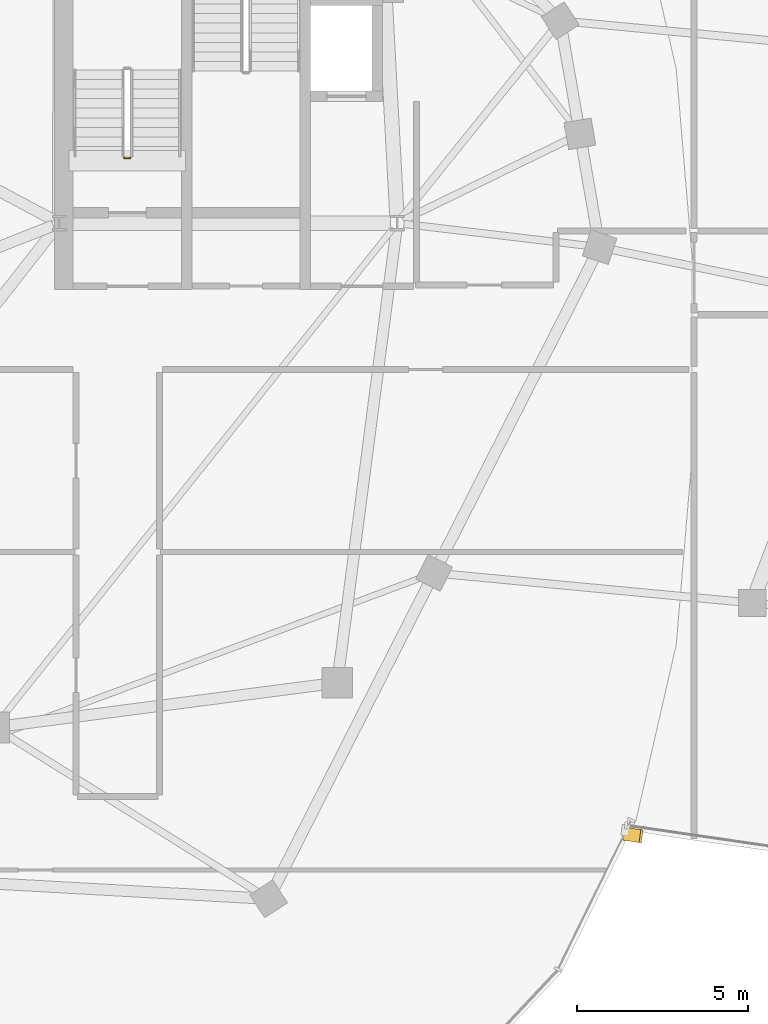
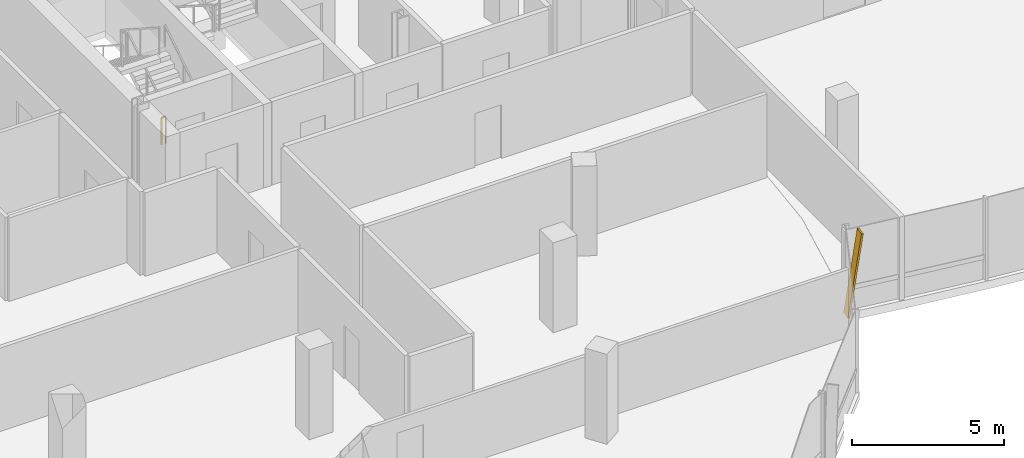
# One storey, part 22 of 26: 1 railing, 1 shading device.
"""IFC4 building model written with IfcOpenShell, lengths in metres."""

from ifc_helpers import new_model, si_unit, direction, frame, origin, origin_2d, place, context, subcontext, project, spatial, rectangle, extrude, material, material_profile, profile_set, type_object, element, save


model = new_model("IFC4")

# Units and contexts
model_context = context("Model", 3, precision=1e-05, world=origin(), true_north=direction((0.0, 1.0)))
body_context = subcontext(model_context, "Body", "Model", "MODEL_VIEW")
ifc_project = project(units=[si_unit("LENGTHUNIT", "METRE"), si_unit("AREAUNIT", "SQUARE_METRE"), si_unit("VOLUMEUNIT", "CUBIC_METRE"), si_unit("PLANEANGLEUNIT", "RADIAN"), si_unit("MASSUNIT", "GRAM", prefix="KILO"), si_unit("THERMODYNAMICTEMPERATUREUNIT", "KELVIN"), si_unit("POWERUNIT", "WATT")], contexts=[model_context])

# Site, building, storey
site_placement = place(None, origin())
site = spatial("IfcSite", under=ifc_project, at=site_placement, CompositionType="ELEMENT")
building_placement = place(site_placement, origin())
building = spatial("IfcBuilding", under=site, at=building_placement, Name="Cundina Bronze Exchange", CompositionType="ELEMENT")
storey_placement = place(building_placement, frame((0.0, 0.0, 261.199951171875)))
storey = spatial("IfcBuildingStorey", under=building, at=storey_placement, Name="L69", CompositionType="ELEMENT", Elevation=261.199951171875)

# Railing
ifc_material_1 = material(Name="Steel ASTM A36 Painted", Category="steel")
railing_type = type_object("IfcRailingType", Name="RLG-STG-1100", PredefinedType="GUARDRAIL", material=ifc_material_1)
railing_placement = place(storey_placement, frame((-29.239990234375, 5.800048828125, 0.0)))
element("IfcRailing", 1, at=railing_placement, inside=storey, type_object=railing_type, Name="L69 ST-W1 stair guard 4", PredefinedType="GUARDRAIL", context=body_context, shape_type="SweptSolid", body=[
    extrude(rectangle(XDim=0.048095703125, YDim=0.048095703125, at=origin_2d()), frame((0.0, 0.0, 1.076171875), z_axis=(-1.0, 0.0, 0.0), x_axis=(0.0, -1.0, 0.0)), (0.0, 0.0, 1.0), 0.159912109375),
    extrude(rectangle(XDim=0.0419921875, YDim=0.0419921875, at=origin_2d()), origin(), (0.0, 0.0, 1.0), 1.052001953125),
    extrude(rectangle(XDim=0.0419921875, YDim=0.0419921875, at=origin_2d()), frame((-0.159912109375, 0.0, 0.0)), (0.0, 0.0, 1.0), 1.052001953125),
])

# Shading device
ifc_material_2 = material(Name="Anodised Bronze Aluminium 6063-T6", Category="aluminium")
ifc_material_profile = material_profile(ifc_material_2, rectangle(XDim=0.070068359375, YDim=0.3798828125, at=origin_2d()), Name="FIN70X380", Category="aluminium")
ifc_profile_set = profile_set([ifc_material_profile], Name="Anodised Bronze Aluminium 6063-T6")
shading_device_type = type_object("IfcShadingDeviceType", Name="SHD-FIN-BRZ380", PredefinedType="USERDEFINED", material=ifc_profile_set)
shading_device_placement = place(storey_placement, frame((-14.8154296875, -13.90625, 0.02001953125), z_axis=(0.145051508968, -0.021168873868, 0.989197623595), x_axis=(-0.978828704224, 0.142850643371, 0.1465880673)))
element("IfcShadingDevice", 2, at=shading_device_placement, inside=storey, type_object=shading_device_type, Name="L69 Diagonal Bronze Solar Fin 1", ObjectType="FIN", PredefinedType="USERDEFINED", context=body_context, shape_type="SweptSolid", body=[
    extrude(rectangle(XDim=0.070068359375, YDim=0.3798828125, at=origin_2d()), origin(), (0.0, 0.0, 1.0), 3.275390625),
])

save(model, "model.ifc")
